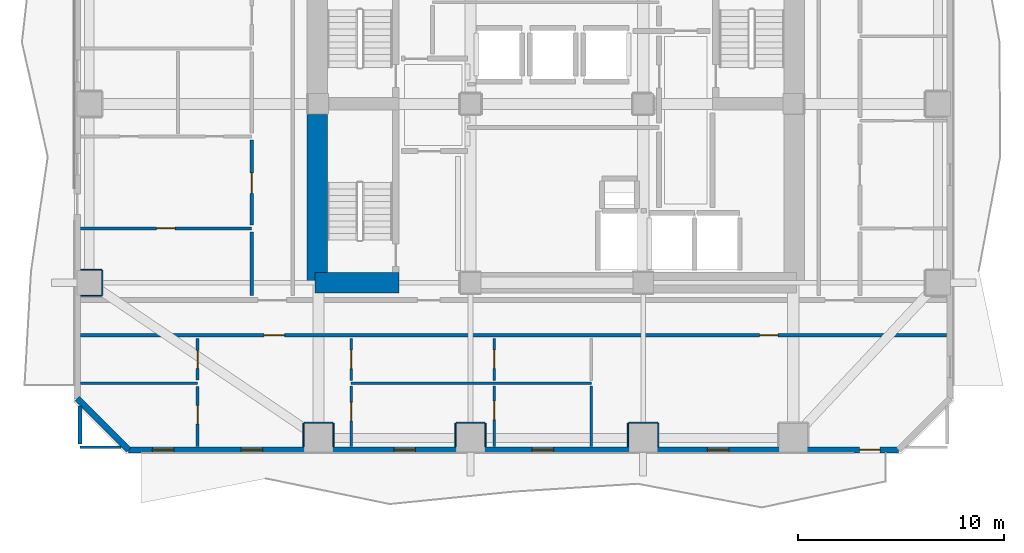
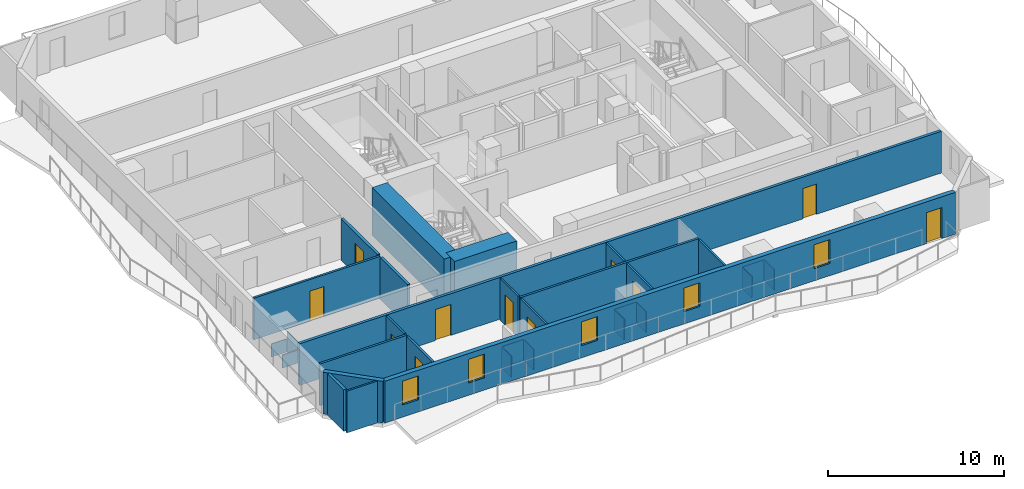
# One storey, part 2 of 10: 31 walls, 11 doors, 5 windows, 16 openings.
"""IFC4 building model written with IfcOpenShell, lengths in metres."""

import ifcopenshell
import ifcopenshell.guid

model = None  # the IFC model being written
_history = None  # IfcOwnerHistory: only IFC2X3 demands one
_inside = {}  # id of a spatial element -> (the spatial element, [elements in it])
_under = {}  # id of a project, library or spatial element -> (it, [spatial elements below it])
_declared = {}  # id of a project -> (the project, [libraries it declares])
_typed = {}  # id of a type object -> (the type object, [elements of that type])
_made_of = {}  # id of a material, layer set ... -> (it, [elements and type objects made of it])


def new_model(schema):
    """Start an empty IFC model of exactly this schema.

    Asked for "IFC4X3", IfcOpenShell would pick the latest addendum, in which some entities
    have other attributes; the version numbers below select the first issue.
    IFC2X3 requires an IfcOwnerHistory on every rooted entity: one is made here for all.
    """
    global model, _history
    if schema == "IFC4X3":
        model = ifcopenshell.file(schema_version=(4, 3, 0, 0))
    else:
        model = ifcopenshell.file(schema=schema)
    _inside.clear()
    _under.clear()
    _declared.clear()
    _typed.clear()
    _made_of.clear()
    _history = None
    if model.schema == "IFC2X3":
        org = make("IfcOrganization", Name="unknown")
        user = make(
            "IfcPersonAndOrganization",
            ThePerson=make("IfcPerson", FamilyName="unknown"),
            TheOrganization=org,
        )
        app = make(
            "IfcApplication",
            ApplicationDeveloper=org,
            Version="unknown",
            ApplicationFullName="unknown",
            ApplicationIdentifier="unknown",
        )
        _history = make(
            "IfcOwnerHistory",
            OwningUser=user,
            OwningApplication=app,
            ChangeAction="ADDED",
            CreationDate=0,
        )
    return model


def make(cls, **values):
    """One entity of the class cls with the attributes given. An attribute that is None is left unset."""
    return model.create_entity(
        cls, **{name: value for name, value in values.items() if value is not None}
    )


def rooted(cls, **values):
    """An entity with a GlobalId (a new one), such as an element, a storey or a relation."""
    return make(cls, GlobalId=ifcopenshell.guid.new(), OwnerHistory=_history, **values)


def si_unit(unit_type, name, prefix=None):
    """IfcSIUnit, for example si_unit("LENGTHUNIT", "METRE", prefix="MILLI")."""
    return make("IfcSIUnit", UnitType=unit_type, Prefix=prefix, Name=name)


def assignment(units):
    """IfcUnitAssignment: the units of a project."""
    return None if units is None else make("IfcUnitAssignment", Units=units)


def point(xyz):
    """IfcCartesianPoint."""
    return None if xyz is None else make("IfcCartesianPoint", Coordinates=xyz)


def direction(xyz):
    """IfcDirection."""
    return None if xyz is None else make("IfcDirection", DirectionRatios=xyz)


def frame(location, z_axis=None, x_axis=None):
    """IfcAxis2Placement3D, a coordinate frame: its origin and axes. An axis left out is left unset."""
    return make(
        "IfcAxis2Placement3D",
        Location=point(location),
        Axis=direction(z_axis),
        RefDirection=direction(x_axis),
    )


def frame_2d(location, x_axis=None):
    """IfcAxis2Placement2D, a coordinate frame in the plane: its origin and x axis."""
    return make(
        "IfcAxis2Placement2D", Location=point(location), RefDirection=direction(x_axis)
    )


def origin():
    """The frame at (0, 0, 0) with its axes left unset."""
    return frame((0.0, 0.0, 0.0))


def place(relative_to, where):
    """IfcLocalPlacement: puts the frame where relative to a parent placement (None: the world)."""
    return make(
        "IfcLocalPlacement", PlacementRelTo=relative_to, RelativePlacement=where
    )


def context(
    kind, dimensions, precision=None, world=None, true_north=None, identifier=None
):
    """IfcGeometricRepresentationContext, for example the 3D "Model" context."""
    return make(
        "IfcGeometricRepresentationContext",
        ContextIdentifier=identifier,
        ContextType=kind,
        CoordinateSpaceDimension=dimensions,
        Precision=precision,
        WorldCoordinateSystem=world,
        TrueNorth=true_north,
    )


def subcontext(parent, identifier, kind, view, scale=None):
    """IfcGeometricRepresentationSubContext, for example "Body" below "Model"."""
    return make(
        "IfcGeometricRepresentationSubContext",
        ContextIdentifier=identifier,
        ContextType=kind,
        ParentContext=parent,
        TargetScale=scale,
        TargetView=view,
    )


def project(units=None, contexts=None):
    """IfcProject with its units and contexts."""
    return rooted(
        "IfcProject",
        Name="project",
        RepresentationContexts=contexts,
        UnitsInContext=assignment(units),
    )


def spatial(cls, under=None, at=None, **own):
    """A site, building, storey or space (cls), placed at a placement, below another one or the project."""
    s = rooted(cls, ObjectPlacement=at, **own)
    if under is not None:
        _under.setdefault(under.id(), (under, []))[1].append(s)
    return s


def profile(cls, at=None, kind="AREA", **sizes):
    """A parametric profile (cls). Its sizes go by their IFC names, for example OverallWidth=200.0."""
    return make(cls, ProfileType=kind, Position=at, **sizes)


def rectangle(**sizes):
    """IfcRectangleProfileDef."""
    return profile("IfcRectangleProfileDef", **sizes)


def extrude(swept, where, along, depth):
    """IfcExtrudedAreaSolid: the profile swept, set in the frame where, extruded along a direction by depth."""
    return make(
        "IfcExtrudedAreaSolid",
        SweptArea=swept,
        Position=where,
        ExtrudedDirection=direction(along),
        Depth=depth,
    )


def shape(context_of_items, identifier, shape_type, items):
    """IfcShapeRepresentation: the items that make up one representation, for example the "Body"."""
    return make(
        "IfcShapeRepresentation",
        ContextOfItems=context_of_items,
        RepresentationIdentifier=identifier,
        RepresentationType=shape_type,
        Items=items,
    )


def material(Name=None, Category=None):
    """IfcMaterial."""
    return make("IfcMaterial", Name=Name, Category=Category)


def layer(
    of_material, thickness, ventilated=None, Name=None, Category=None, Priority=None
):
    """IfcMaterialLayer: one layer of a wall or slab, of a material (None: an air gap)."""
    return make(
        "IfcMaterialLayer",
        Material=of_material,
        LayerThickness=thickness,
        IsVentilated=ventilated,
        Name=Name,
        Category=Category,
        Priority=Priority,
    )


def layer_set(layers, Name=None):
    """IfcMaterialLayerSet."""
    return make("IfcMaterialLayerSet", MaterialLayers=layers, LayerSetName=Name)


def made_of(thing, what):
    """Note that an element or type object is made of a material, layer set ...; save() writes the relation."""
    if what is not None:
        _made_of.setdefault(what.id(), (what, []))[1].append(thing)
    return thing


def type_object(cls, material=None, **own):
    """A type object (cls), such as IfcWallType, which elements share."""
    return made_of(rooted(cls, **own), material)


def element(
    cls,
    number,
    at=None,
    inside=None,
    cuts=None,
    type_object=None,
    material=None,
    context=None,
    identifier="Body",
    shape_type=None,
    held_by="IfcProductDefinitionShape",
    body=None,
    shapes=None,
    **own,
):
    """One element of the class cls, such as IfcWall. Its Tag is "e" and its number.

    at: its placement. inside: the storey or other place that contains it. cuts: it is an
    opening in that element (IfcRelVoidsElement). A single representation is given by context,
    identifier, shape_type and body (its items); several are given by shapes. held_by: the class
    of the entity that holds the representations. save() writes the other relations.
    """
    e = rooted(cls, Tag="e%d" % number, ObjectPlacement=at, **own)
    if body is not None:
        shapes = [shape(context, identifier, shape_type, body)]
    if shapes is not None:
        e.Representation = make(held_by, Representations=shapes)
    if inside is not None:
        _inside.setdefault(inside.id(), (inside, []))[1].append(e)
    if cuts is not None:
        rooted(
            "IfcRelVoidsElement", RelatingBuildingElement=cuts, RelatedOpeningElement=e
        )
    if type_object is not None:
        _typed.setdefault(type_object.id(), (type_object, []))[1].append(e)
    return made_of(e, material)


def fill(opening, filler):
    """IfcRelFillsElement: the door or window that sits in an opening."""
    return rooted(
        "IfcRelFillsElement",
        RelatingOpeningElement=opening,
        RelatedBuildingElement=filler,
    )


def aggregate(whole, parts):
    """IfcRelAggregates: a whole, such as a stair, and the parts it consists of."""
    return rooted("IfcRelAggregates", RelatingObject=whole, RelatedObjects=parts)


def save(model, path):
    """Write the relations noted so far, then the file.

    IfcRelAggregates (storeys below a building ...), IfcRelContainedInSpatialStructure (elements
    in a storey), IfcRelDefinesByType, IfcRelAssociatesMaterial and IfcRelDeclares: one each for
    every whole, place, type object, material and project.
    """
    for whole, parts in _under.values():
        aggregate(whole, parts)
    for where, things in _inside.values():
        rooted(
            "IfcRelContainedInSpatialStructure",
            RelatedElements=things,
            RelatingStructure=where,
        )
    for kind, things in _typed.values():
        rooted("IfcRelDefinesByType", RelatedObjects=things, RelatingType=kind)
    for what, things in _made_of.values():
        rooted("IfcRelAssociatesMaterial", RelatedObjects=things, RelatingMaterial=what)
    for by, libraries in _declared.values():
        rooted("IfcRelDeclares", RelatingContext=by, RelatedDefinitions=libraries)
    model.write(path)


model = new_model("IFC4")

# Units and contexts
model_context = context("Model", 3, precision=1e-05, world=origin(), true_north=direction((0.0, 1.0)))
body_context = subcontext(model_context, "Body", "Model", "MODEL_VIEW")
ifc_project = project(units=[si_unit("LENGTHUNIT", "METRE"), si_unit("AREAUNIT", "SQUARE_METRE"), si_unit("VOLUMEUNIT", "CUBIC_METRE"), si_unit("PLANEANGLEUNIT", "RADIAN"), si_unit("MASSUNIT", "GRAM", prefix="KILO")], contexts=[model_context])

# Site, building, storey
site_placement = place(None, origin())
site = spatial("IfcSite", under=ifc_project, at=site_placement, CompositionType="ELEMENT")
building_placement = place(site_placement, origin())
building = spatial("IfcBuilding", under=site, at=building_placement, Name="Solanera Arch Residences", CompositionType="ELEMENT")
storey_placement = place(building_placement, frame((0.0, 0.0, 102.760009765625)))
storey = spatial("IfcBuildingStorey", under=building, at=storey_placement, Name="L29", CompositionType="ELEMENT", Elevation=102.760009765625)

# Walls
ifc_material_1 = material(Name="Fire-Rated Gypsum Stud Partition", Category="gypsum")
ifc_layer_1 = layer(ifc_material_1, 0.06005859375)
ifc_layer_set_1 = layer_set([ifc_layer_1], Name="Fire-Rated Gypsum Stud Partition")
wall_type_1 = type_object("IfcWallType", Name="Column Acoustic Furring Wall 60", PredefinedType="PARTITIONING", material=ifc_layer_set_1)
wall_1_placement = place(storey_placement, frame((12.699951171875, 15.181884765625, 0.0), z_axis=(0.0, 0.0, 1.0), x_axis=(1.0, 0.0, 0.0)))
element("IfcWall", 1, at=wall_1_placement, inside=storey, type_object=wall_type_1, Name="L29 Column Furring 9N", PredefinedType="PARTITIONING", context=body_context, shape_type="SweptSolid", body=[
    extrude(rectangle(XDim=1.400146484375, YDim=0.06005859375, at=frame_2d((0.7001953125, 0.0))), origin(), (0.0, 0.0, 1.0), 1.449951171875),
])
for number, where, z_axis, x_axis, name in (
    (2, (12.66796875, 14.030029296875, 0.0), (0.0, 0.0, 1.0), (0.0, 1.0, 0.0), "L29 Column Furring 9W"),
    (3, (14.132080078125, 14.030029296875, 0.0), (0.0, 0.0, 1.0), (0.0, 1.0, 0.0), "L29 Column Furring 9E"),
):
    element("IfcWall", number, at=place(storey_placement, frame(where, z_axis=z_axis, x_axis=x_axis)), inside=storey, type_object=wall_type_1, Name=name, PredefinedType="PARTITIONING", context=body_context, shape_type="SweptSolid", body=[
        extrude(rectangle(XDim=1.119873046875, YDim=0.06005859375, at=frame_2d((0.56005859375, 0.0))), origin(), (0.0, 0.0, 1.0), 1.449951171875),
    ])
wall_2_placement = place(storey_placement, frame((20.10009765625, 15.181884765625, 0.0), z_axis=(0.0, 0.0, 1.0), x_axis=(1.0, 0.0, 0.0)))
element("IfcWall", 4, at=wall_2_placement, inside=storey, type_object=wall_type_1, Name="L29 Column Furring 11N", PredefinedType="PARTITIONING", context=body_context, shape_type="SweptSolid", body=[
    extrude(rectangle(XDim=1.39990234375, YDim=0.06005859375, at=frame_2d((0.699951171875, 0.0))), origin(), (0.0, 0.0, 1.0), 1.449951171875),
])
for number, where, z_axis, x_axis, name in (
    (5, (20.068115234375, 14.030029296875, 0.0), (0.0, 0.0, 1.0), (0.0, 1.0, 0.0), "L29 Column Furring 11W"),
    (6, (21.531982421875, 14.030029296875, 0.0), (0.0, 0.0, 1.0), (0.0, 1.0, 0.0), "L29 Column Furring 11E"),
):
    element("IfcWall", number, at=place(storey_placement, frame(where, z_axis=z_axis, x_axis=x_axis)), inside=storey, type_object=wall_type_1, Name=name, PredefinedType="PARTITIONING", context=body_context, shape_type="SweptSolid", body=[
        extrude(rectangle(XDim=1.119873046875, YDim=0.06005859375, at=frame_2d((0.56005859375, 0.0))), origin(), (0.0, 0.0, 1.0), 1.449951171875),
    ])
wall_3_placement = place(storey_placement, frame((28.5, 15.181884765625, 0.0), z_axis=(0.0, 0.0, 1.0), x_axis=(1.0, 0.0, 0.0)))
element("IfcWall", 7, at=wall_3_placement, inside=storey, type_object=wall_type_1, Name="L29 Column Furring 13N", PredefinedType="PARTITIONING", context=body_context, shape_type="SweptSolid", body=[
    extrude(rectangle(XDim=1.39990234375, YDim=0.06005859375, at=frame_2d((0.699951171875, 0.0))), origin(), (0.0, 0.0, 1.0), 1.449951171875),
])
for number, where, z_axis, x_axis, name in (
    (8, (28.468017578125, 14.030029296875, 0.0), (0.0, 0.0, 1.0), (0.0, 1.0, 0.0), "L29 Column Furring 13W"),
    (9, (29.931884765625, 14.030029296875, 0.0), (0.0, 0.0, 1.0), (0.0, 1.0, 0.0), "L29 Column Furring 13E"),
):
    element("IfcWall", number, at=place(storey_placement, frame(where, z_axis=z_axis, x_axis=x_axis)), inside=storey, type_object=wall_type_1, Name=name, PredefinedType="PARTITIONING", context=body_context, shape_type="SweptSolid", body=[
        extrude(rectangle(XDim=1.119873046875, YDim=0.06005859375, at=frame_2d((0.56005859375, 0.0))), origin(), (0.0, 0.0, 1.0), 1.449951171875),
    ])
for number, where, z_axis, x_axis, name in (
    (10, (1.830078125, 21.367919921875, 0.0), (0.0, 0.0, 1.0), (1.0, 0.0, 0.0), "L29 Column Furring 17S"),
    (11, (1.830078125, 22.632080078125, 0.0), (0.0, 0.0, 1.0), (1.0, 0.0, 0.0), "L29 Column Furring 17N"),
):
    element("IfcWall", number, at=place(storey_placement, frame(where, z_axis=z_axis, x_axis=x_axis)), inside=storey, type_object=wall_type_1, Name=name, PredefinedType="PARTITIONING", context=body_context, shape_type="SweptSolid", body=[
        extrude(rectangle(XDim=1.02001953125, YDim=0.06005859375, at=frame_2d((0.510009765625, 0.0))), origin(), (0.0, 0.0, 1.0), 0.905029296875),
    ])
wall_4_placement = place(storey_placement, frame((2.882080078125, 21.39990234375, 0.0), z_axis=(0.0, 0.0, 1.0), x_axis=(0.0, 1.0, 0.0)))
element("IfcWall", 12, at=wall_4_placement, inside=storey, type_object=wall_type_1, Name="L29 Column Furring 17E", PredefinedType="PARTITIONING", context=body_context, shape_type="SweptSolid", body=[
    extrude(rectangle(XDim=1.2001953125, YDim=0.06005859375, at=frame_2d((0.60009765625, 0.0))), origin(), (0.0, 0.0, 1.0), 1.449951171875),
])
ifc_material_2 = material(Name="Concrete C55/67 (f'c = 60 MPa)", Category="concrete")
ifc_layer_2 = layer(ifc_material_2, 1.0)
ifc_layer_set_2 = layer_set([ifc_layer_2], Name="Concrete C55/67 (f'c = 60 MPa)")
wall_type_2 = type_object("IfcWallType", Name="Core Shear Wall CW-1000", PredefinedType="SHEAR", material=ifc_layer_set_2)
wall_5_placement = place(storey_placement, frame((13.340087890625, 22.0, 0.0), z_axis=(0.0, 0.0, 1.0), x_axis=(0.0, 1.0, 0.0)))
element("IfcWall", 13, at=wall_5_placement, inside=storey, type_object=wall_type_2, Name="L29 West Core South Shear Wall", PredefinedType="SHEAR", context=body_context, shape_type="SweptSolid", body=[
    extrude(rectangle(XDim=8.195068359375, YDim=1.0, at=frame_2d((4.09765625, 0.0))), origin(), (0.0, 0.0, 1.0), 3.320068359375),
])
wall_6_placement = place(storey_placement, frame((13.239990234375, 22.0, 0.0), z_axis=(0.0, 0.0, 1.0), x_axis=(1.0, 0.0, 0.0)))
element("IfcWall", 14, at=wall_6_placement, inside=storey, type_object=wall_type_2, Name="L29 South-West Core Shear Wall", PredefinedType="SHEAR", context=body_context, shape_type="SweptSolid", body=[
    extrude(rectangle(XDim=4.080078125, YDim=1.0, at=frame_2d((2.0400390625, 0.0))), origin(), (0.0, 0.0, 1.0), 3.320068359375),
])

# Wall, openings, doors
ifc_material_3 = material(Name="Autoclaved Aerated Concrete Blockwork", Category="masonry")
ifc_layer_3 = layer(ifc_material_3, 0.179931640625)
ifc_layer_set_3 = layer_set([ifc_layer_3], Name="Autoclaved Aerated Concrete Blockwork")
wall_type_3 = type_object("IfcWallType", Name="Corridor Fire Partition 180", PredefinedType="PARTITIONING", material=ifc_layer_set_3)
wall_7_placement = place(storey_placement, frame((1.826904296875, 19.449951171875, 0.0), z_axis=(0.0, 0.0, 1.0), x_axis=(1.0, 0.0, 0.0)))
wall_7 = element("IfcWall", 15, at=wall_7_placement, inside=storey, type_object=wall_type_3, Name="L29 Interior Partition H6", PredefinedType="PARTITIONING", context=body_context, shape_type="SweptSolid", body=[
    extrude(rectangle(XDim=42.14599609375, YDim=0.179931640625, at=frame_2d((21.072998046875, 0.0))), origin(), (0.0, 0.0, 1.0), 2.89990234375),
])
opening_1_placement = place(wall_7_placement, frame((8.927001953125, 0.0, 0.0)))
opening_1 = element("IfcOpeningElement", 16, at=opening_1_placement, cuts=wall_7, Name="Opening DI-01", PredefinedType="OPENING", context=body_context, shape_type="SweptSolid", body=[
    extrude(rectangle(XDim=1.0, YDim=2.14990234375, at=frame_2d((0.5, 1.074951171875))), frame((0.0, 0.10009765625, 0.0), z_axis=(0.0, -1.0, 0.0), x_axis=(1.0, 0.0, 0.0)), (0.0, 0.0, 1.0), 0.1999),
])
opening_2_placement = place(wall_7_placement, frame((33.0380859375, 0.0, 0.0)))
opening_2 = element("IfcOpeningElement", 17, at=opening_2_placement, cuts=wall_7, Name="Opening DI-02", PredefinedType="OPENING", context=body_context, shape_type="SweptSolid", body=[
    extrude(rectangle(XDim=0.89990234375, YDim=2.10009765625, at=frame_2d((0.449951171875, 1.050048828125))), frame((0.0, 0.10009765625, 0.0), z_axis=(0.0, -1.0, 0.0), x_axis=(1.0, 0.0, 0.0)), (0.0, 0.0, 1.0), 0.1999),
])
ifc_material_4 = material(Name="Fire-Rated Architectural Hardwood", Category="wood")
door_type_1 = type_object("IfcDoorType", Name="Suite Room Swing Door DI-02", OperationType="NOTDEFINED", PredefinedType="DOOR", material=ifc_material_4)
door_1_placement = place(opening_2_placement, origin())
door_1 = element("IfcDoor", 18, at=door_1_placement, inside=storey, type_object=door_type_1, Name="DR-L29-IN-023", OperationType="SINGLE_SWING_RIGHT", OverallHeight=2.10009765625, OverallWidth=0.89990234375, PredefinedType="DOOR", context=body_context, shape_type="SweptSolid", body=[
    extrude(rectangle(XDim=0.89990234375, YDim=2.10009765625, at=frame_2d((0.449951171875, 1.050048828125))), frame((0.0, 0.02490234375, 0.0), z_axis=(0.0, -1.0, 0.0), x_axis=(1.0, 0.0, 0.0)), (0.0, 0.0, 1.0), 0.050048828125),
])
fill(opening_2, door_1)
ifc_material_5 = material(Name="Fire-Rated Architectural Hardwood", Category="wood")
door_type_2 = type_object("IfcDoorType", Name="Unit Entrance Fire Door DI-01", OperationType="NOTDEFINED", PredefinedType="DOOR", material=ifc_material_5)
door_2_placement = place(opening_1_placement, origin())
door_2 = element("IfcDoor", 19, at=door_2_placement, inside=storey, type_object=door_type_2, Name="DR-L29-IN-016", OperationType="SINGLE_SWING_LEFT", OverallHeight=2.14990234375, OverallWidth=1.0, PredefinedType="DOOR", context=body_context, shape_type="SweptSolid", body=[
    extrude(rectangle(XDim=1.0, YDim=2.14990234375, at=frame_2d((0.5, 1.074951171875))), frame((0.0, 0.02490234375, 0.0), z_axis=(0.0, -1.0, 0.0), x_axis=(1.0, 0.0, 0.0)), (0.0, 0.0, 1.0), 0.050048828125),
])
fill(opening_1, door_2)

# Walls
wall_8_placement = place(storey_placement, frame((1.800048828125, 14.157958984375, 0.0), z_axis=(0.0, 0.0, 1.0), x_axis=(0.0, 1.0, 0.0)))
element("IfcWall", 20, at=wall_8_placement, inside=storey, type_object=wall_type_3, Name="L29 Interior Partition V7 1", PredefinedType="PARTITIONING", context=body_context, shape_type="SweptSolid", body=[
    extrude(rectangle(XDim=1.843017578125, YDim=0.179931640625, at=frame_2d((0.92138671875, 0.0))), origin(), (0.0, 0.0, 1.0), 2.89990234375),
])
wall_9_placement = place(storey_placement, frame((10.14990234375, 21.367919921875, 0.0), z_axis=(0.0, 0.0, 1.0), x_axis=(0.0, 1.0, 0.0)))
element("IfcWall", 21, at=wall_9_placement, inside=storey, type_object=wall_type_3, Name="L29 Interior Partition V8 1", PredefinedType="PARTITIONING", context=body_context, shape_type="SweptSolid", body=[
    extrude(rectangle(XDim=3.109130859375, YDim=0.179931640625, at=frame_2d((1.5546875, 0.0))), origin(), (0.0, 0.0, 1.0), 2.89990234375),
])

# Wall, opening, door
wall_10_placement = place(storey_placement, frame((10.14990234375, 24.81298828125, 0.0), z_axis=(0.0, 0.0, 1.0), x_axis=(0.0, 1.0, 0.0)))
wall_10 = element("IfcWall", 22, at=wall_10_placement, inside=storey, type_object=wall_type_3, Name="L29 Interior Partition V8 2", PredefinedType="PARTITIONING", context=body_context, shape_type="SweptSolid", body=[
    extrude(rectangle(XDim=4.138916015625, YDim=0.179931640625, at=frame_2d((2.0693359375, 0.0))), origin(), (0.0, 0.0, 1.0), 2.89990234375),
])
opening_3_placement = place(wall_10_placement, frame((1.537109375, 0.0, 0.0)))
opening_3 = element("IfcOpeningElement", 23, at=opening_3_placement, cuts=wall_10, Name="Opening DI-01", PredefinedType="OPENING", context=body_context, shape_type="SweptSolid", body=[
    extrude(rectangle(XDim=1.0, YDim=2.14990234375, at=frame_2d((0.5, 1.074951171875))), frame((0.0, 0.10009765625, 0.0), z_axis=(0.0, -1.0, 0.0), x_axis=(1.0, 0.0, 0.0)), (0.0, 0.0, 1.0), 0.1999),
])
door_3_placement = place(opening_3_placement, origin())
door_3 = element("IfcDoor", 24, at=door_3_placement, inside=storey, type_object=door_type_2, Name="DR-L29-IN-031", OperationType="SINGLE_SWING_RIGHT", OverallHeight=2.14990234375, OverallWidth=1.0, PredefinedType="DOOR", context=body_context, shape_type="SweptSolid", body=[
    extrude(rectangle(XDim=1.0, YDim=2.14990234375, at=frame_2d((0.5, 1.074951171875))), frame((0.0, 0.02490234375, 0.0), z_axis=(0.0, -1.0, 0.0), x_axis=(1.0, 0.0, 0.0)), (0.0, 0.0, 1.0), 0.050048828125),
])
fill(opening_3, door_3)

# Wall, openings, door, windows
ifc_material_6 = material(Name="Precast Concrete C35/45", Category="concrete")
ifc_layer_4 = layer(ifc_material_6, 0.300048828125)
ifc_layer_set_4 = layer_set([ifc_layer_4], Name="Precast Concrete C35/45")
wall_type_4 = type_object("IfcWallType", Name="Exterior Wall Precast Masonry-Frame 300", PredefinedType="STANDARD", material=ifc_layer_set_4)
wall_11_placement = place(storey_placement, frame((41.635009765625, 13.864990234375, 0.0), z_axis=(0.0, 0.0, 1.0), x_axis=(-1.0, 0.0, 0.0)))
wall_11 = element("IfcWall", 25, at=wall_11_placement, inside=storey, type_object=wall_type_4, Name="L29 Tower Exterior Precast Masonry-Frame Wall S", PredefinedType="STANDARD", context=body_context, shape_type="SweptSolid", body=[
    extrude(rectangle(XDim=37.469970703125, YDim=0.300048828125, at=frame_2d((18.73486328125, 0.0))), origin(), (0.0, 0.0, 1.0), 2.89990234375),
])
opening_4_placement = place(wall_11_placement, frame((0.90087890625, 0.0, 0.0)))
opening_4 = element("IfcOpeningElement", 26, at=opening_4_placement, cuts=wall_11, Name="Opening DB-01", PredefinedType="OPENING", context=body_context, shape_type="SweptSolid", body=[
    extrude(rectangle(XDim=1.0, YDim=2.14990234375, at=frame_2d((0.5, 1.074951171875))), frame((0.0, 0.159912109375, 0.0), z_axis=(0.0, -1.0, 0.0), x_axis=(1.0, 0.0, 0.0)), (0.0, 0.0, 1.0), 0.32),
])
opening_5_placement = place(wall_11_placement, frame((30.948974609375, 0.0, 0.85009765625)))
opening_5 = element("IfcOpeningElement", 27, at=opening_5_placement, cuts=wall_11, Name="Opening W-07", PredefinedType="OPENING", context=body_context, shape_type="SweptSolid", body=[
    extrude(rectangle(XDim=1.050048828125, YDim=1.64990234375, at=frame_2d((0.52490234375, 0.824951171875))), frame((0.0, 0.159912109375, 0.0), z_axis=(0.0, -1.0, 0.0), x_axis=(1.0, 0.0, 0.0)), (0.0, 0.0, 1.0), 0.32),
])
opening_6_placement = place(wall_11_placement, frame((35.27099609375, 0.0, 0.85009765625)))
opening_6 = element("IfcOpeningElement", 28, at=opening_6_placement, cuts=wall_11, Name="Opening W-07", PredefinedType="OPENING", context=body_context, shape_type="SweptSolid", body=[
    extrude(rectangle(XDim=1.050048828125, YDim=1.64990234375, at=frame_2d((0.52490234375, 0.824951171875))), frame((0.0, 0.159912109375, 0.0), z_axis=(0.0, -1.0, 0.0), x_axis=(1.0, 0.0, 0.0)), (0.0, 0.0, 1.0), 0.32),
])
opening_7_placement = place(wall_11_placement, frame((23.51708984375, 0.0, 0.85009765625)))
opening_7 = element("IfcOpeningElement", 29, at=opening_7_placement, cuts=wall_11, Name="Opening W-07", PredefinedType="OPENING", context=body_context, shape_type="SweptSolid", body=[
    extrude(rectangle(XDim=1.050048828125, YDim=1.64990234375, at=frame_2d((0.52490234375, 0.824951171875))), frame((0.0, 0.159912109375, 0.0), z_axis=(0.0, -1.0, 0.0), x_axis=(1.0, 0.0, 0.0)), (0.0, 0.0, 1.0), 0.32),
])
opening_8_placement = place(wall_11_placement, frame((16.794921875, 0.0, 0.85009765625)))
opening_8 = element("IfcOpeningElement", 30, at=opening_8_placement, cuts=wall_11, Name="Opening W-07", PredefinedType="OPENING", context=body_context, shape_type="SweptSolid", body=[
    extrude(rectangle(XDim=1.050048828125, YDim=1.64990234375, at=frame_2d((0.52490234375, 0.824951171875))), frame((0.0, 0.159912109375, 0.0), z_axis=(0.0, -1.0, 0.0), x_axis=(1.0, 0.0, 0.0)), (0.0, 0.0, 1.0), 0.32),
])
opening_9_placement = place(wall_11_placement, frame((8.260009765625, 0.0, 0.85009765625)))
opening_9 = element("IfcOpeningElement", 31, at=opening_9_placement, cuts=wall_11, Name="Opening W-07", PredefinedType="OPENING", context=body_context, shape_type="SweptSolid", body=[
    extrude(rectangle(XDim=1.050048828125, YDim=1.64990234375, at=frame_2d((0.52490234375, 0.824951171875))), frame((0.0, 0.159912109375, 0.0), z_axis=(0.0, -1.0, 0.0), x_axis=(1.0, 0.0, 0.0)), (0.0, 0.0, 1.0), 0.32),
])
ifc_material_7 = material(Name="Anodised Aluminium Alloy 6063-T6", Category="aluminium")
door_type_3 = type_object("IfcDoorType", Name="Glazed Balcony Swing Door DB-01", OperationType="NOTDEFINED", PredefinedType="DOOR", material=ifc_material_7)
door_4_placement = place(opening_4_placement, origin())
door_4 = element("IfcDoor", 32, at=door_4_placement, inside=storey, type_object=door_type_3, Name="DR-L29-OUT-01", OperationType="SINGLE_SWING_LEFT", OverallHeight=2.14990234375, OverallWidth=1.0, PredefinedType="DOOR", context=body_context, shape_type="SweptSolid", body=[
    extrude(rectangle(XDim=1.0, YDim=2.14990234375, at=frame_2d((0.5, 1.074951171875))), frame((0.0, 0.02490234375, 0.0), z_axis=(0.0, -1.0, 0.0), x_axis=(1.0, 0.0, 0.0)), (0.0, 0.0, 1.0), 0.050048828125),
])
fill(opening_4, door_4)
ifc_material_8 = material(Name="Double Glazed Low-E Laminated Glass", Category="glass")
window_type = type_object("IfcWindowType", Name="Punched Window W-07", PartitioningType="SINGLE_PANEL", PredefinedType="WINDOW", material=ifc_material_8)
window_1_placement = place(opening_5_placement, origin())
window_1 = element("IfcWindow", 33, at=window_1_placement, inside=storey, type_object=window_type, Name="L29 2901-LIV Punched Window", OverallHeight=1.64990234375, OverallWidth=1.050048828125, PartitioningType="SINGLE_PANEL", PredefinedType="WINDOW", context=body_context, shape_type="SweptSolid", body=[
    extrude(rectangle(XDim=1.050048828125, YDim=1.64990234375, at=frame_2d((0.52490234375, 0.824951171875))), frame((0.0, 0.030029296875, 0.0), z_axis=(0.0, -1.0, 0.0), x_axis=(1.0, 0.0, 0.0)), (0.0, 0.0, 1.0), 0.06005859375),
])
fill(opening_5, window_1)
window_2_placement = place(opening_6_placement, origin())
window_2 = element("IfcWindow", 34, at=window_2_placement, inside=storey, type_object=window_type, Name="L29 2901-BR1 Punched Window", OverallHeight=1.64990234375, OverallWidth=1.050048828125, PartitioningType="SINGLE_PANEL", PredefinedType="WINDOW", context=body_context, shape_type="SweptSolid", body=[
    extrude(rectangle(XDim=1.050048828125, YDim=1.64990234375, at=frame_2d((0.52490234375, 0.824951171875))), frame((0.0, 0.030029296875, 0.0), z_axis=(0.0, -1.0, 0.0), x_axis=(1.0, 0.0, 0.0)), (0.0, 0.0, 1.0), 0.06005859375),
])
fill(opening_6, window_2)
window_3_placement = place(opening_7_placement, origin())
window_3 = element("IfcWindow", 35, at=window_3_placement, inside=storey, type_object=window_type, Name="L29 2901-BR2 Punched Window", OverallHeight=1.64990234375, OverallWidth=1.050048828125, PartitioningType="SINGLE_PANEL", PredefinedType="WINDOW", context=body_context, shape_type="SweptSolid", body=[
    extrude(rectangle(XDim=1.050048828125, YDim=1.64990234375, at=frame_2d((0.52490234375, 0.824951171875))), frame((0.0, 0.030029296875, 0.0), z_axis=(0.0, -1.0, 0.0), x_axis=(1.0, 0.0, 0.0)), (0.0, 0.0, 1.0), 0.06005859375),
])
fill(opening_7, window_3)
window_4_placement = place(opening_8_placement, origin())
window_4 = element("IfcWindow", 36, at=window_4_placement, inside=storey, type_object=window_type, Name="L29 2901-BR3 Punched Window", OverallHeight=1.64990234375, OverallWidth=1.050048828125, PartitioningType="SINGLE_PANEL", PredefinedType="WINDOW", context=body_context, shape_type="SweptSolid", body=[
    extrude(rectangle(XDim=1.050048828125, YDim=1.64990234375, at=frame_2d((0.52490234375, 0.824951171875))), frame((0.0, 0.030029296875, 0.0), z_axis=(0.0, -1.0, 0.0), x_axis=(1.0, 0.0, 0.0)), (0.0, 0.0, 1.0), 0.06005859375),
])
fill(opening_8, window_4)
window_5_placement = place(opening_9_placement, origin())
window_5 = element("IfcWindow", 37, at=window_5_placement, inside=storey, type_object=window_type, Name="L29 AMN-LNG Punched Window", OverallHeight=1.64990234375, OverallWidth=1.050048828125, PartitioningType="SINGLE_PANEL", PredefinedType="WINDOW", context=body_context, shape_type="SweptSolid", body=[
    extrude(rectangle(XDim=1.050048828125, YDim=1.64990234375, at=frame_2d((0.52490234375, 0.824951171875))), frame((0.0, 0.030029296875, 0.0), z_axis=(0.0, -1.0, 0.0), x_axis=(1.0, 0.0, 0.0)), (0.0, 0.0, 1.0), 0.06005859375),
])
fill(opening_9, window_5)

# Walls
wall_12_placement = place(storey_placement, frame((4.1650390625, 13.864990234375, 0.0), z_axis=(0.0, 0.0, 1.0), x_axis=(-0.707106781187, 0.707106781187, 0.0)))
element("IfcWall", 38, at=wall_12_placement, inside=storey, type_object=wall_type_4, Name="L29 Tower Exterior Precast Masonry-Frame Wall CH7", PredefinedType="STANDARD", context=body_context, shape_type="SweptSolid", body=[
    extrude(rectangle(XDim=3.53564453125, YDim=0.300048828125, at=frame_2d((1.767822265625, 0.0))), origin(), (0.0, 0.0, 1.0), 2.89990234375),
])
ifc_material_9 = material(Name="Fire-Rated Gypsum Stud Partition", Category="gypsum")
ifc_layer_5 = layer(ifc_material_9, 0.1201171875)
ifc_layer_set_5 = layer_set([ifc_layer_5], Name="Fire-Rated Gypsum Stud Partition")
wall_type_5 = type_object("IfcWallType", Name="Unit Drywall Partition 120", PredefinedType="PARTITIONING", material=ifc_layer_set_5)
wall_13_placement = place(storey_placement, frame((1.800048828125, 14.0, 0.0), z_axis=(0.0, 0.0, 1.0), x_axis=(1.0, 0.0, 0.0)))
element("IfcWall", 39, at=wall_13_placement, inside=storey, type_object=wall_type_5, Name="L29 Interior Partition H21 1", PredefinedType="PARTITIONING", context=body_context, shape_type="SweptSolid", body=[
    extrude(rectangle(XDim=2.0009765625, YDim=0.1201171875, at=frame_2d((1.00048828125, 0.0))), origin(), (0.0, 0.0, 1.0), 2.89990234375),
])

# Wall, opening, door
wall_14_placement = place(storey_placement, frame((14.986083984375, 14.027099609375, 0.0), z_axis=(0.0, 0.0, 1.0), x_axis=(0.0, 1.0, 0.0)))
wall_14 = element("IfcWall", 40, at=wall_14_placement, inside=storey, type_object=wall_type_5, Name="L29 Interior Partition V19 1", PredefinedType="PARTITIONING", context=body_context, shape_type="SweptSolid", body=[
    extrude(rectangle(XDim=2.94189453125, YDim=0.1201171875, at=frame_2d((1.470947265625, 0.0))), origin(), (0.0, 0.0, 1.0), 2.89990234375),
])
opening_10_placement = place(wall_14_placement, frame((1.2490234375, 0.0, 0.0)))
opening_10 = element("IfcOpeningElement", 41, at=opening_10_placement, cuts=wall_14, Name="Opening DI-03", PredefinedType="OPENING", context=body_context, shape_type="SweptSolid", body=[
    extrude(rectangle(XDim=0.89990234375, YDim=2.10009765625, at=frame_2d((0.449951171875, 1.050048828125))), frame((0.0, 0.070068359375, 0.0), z_axis=(0.0, -1.0, 0.0), x_axis=(1.0, 0.0, 0.0)), (0.0, 0.0, 1.0), 0.1401),
])
ifc_material_10 = material(Name="Fire-Rated Architectural Hardwood", Category="wood")
door_type_4 = type_object("IfcDoorType", Name="Bedroom Swing Door DI-03", OperationType="NOTDEFINED", PredefinedType="DOOR", material=ifc_material_10)
door_5_placement = place(opening_10_placement, origin())
door_5 = element("IfcDoor", 42, at=door_5_placement, inside=storey, type_object=door_type_4, Name="DR-L29-IN-021", OperationType="SINGLE_SWING_RIGHT", OverallHeight=2.10009765625, OverallWidth=0.89990234375, PredefinedType="DOOR", context=body_context, shape_type="SweptSolid", body=[
    extrude(rectangle(XDim=0.89990234375, YDim=2.10009765625, at=frame_2d((0.449951171875, 1.050048828125))), frame((0.0, 0.02490234375, 0.0), z_axis=(0.0, -1.0, 0.0), x_axis=(1.0, 0.0, 0.0)), (0.0, 0.0, 1.0), 0.050048828125),
])
fill(opening_10, door_5)

wall_15_placement = place(storey_placement, frame((14.986083984375, 17.2451171875, 0.0), z_axis=(0.0, 0.0, 1.0), x_axis=(0.0, 1.0, 0.0)))
wall_15 = element("IfcWall", 43, at=wall_15_placement, inside=storey, type_object=wall_type_5, Name="L29 Interior Partition V19 2", PredefinedType="PARTITIONING", context=body_context, shape_type="SweptSolid", body=[
    extrude(rectangle(XDim=2.046875, YDim=0.1201171875, at=frame_2d((1.0234375, 0.0))), origin(), (0.0, 0.0, 1.0), 2.89990234375),
])
opening_11_placement = place(wall_15_placement, frame((0.571044921875, 0.0, 0.0)))
opening_11 = element("IfcOpeningElement", 44, at=opening_11_placement, cuts=wall_15, Name="Opening DI-02", PredefinedType="OPENING", context=body_context, shape_type="SweptSolid", body=[
    extrude(rectangle(XDim=0.89990234375, YDim=2.10009765625, at=frame_2d((0.449951171875, 1.050048828125))), frame((0.0, 0.070068359375, 0.0), z_axis=(0.0, -1.0, 0.0), x_axis=(1.0, 0.0, 0.0)), (0.0, 0.0, 1.0), 0.1401),
])
door_6_placement = place(opening_11_placement, origin())
door_6 = element("IfcDoor", 45, at=door_6_placement, inside=storey, type_object=door_type_1, Name="DR-L29-IN-019", OperationType="SINGLE_SWING_RIGHT", OverallHeight=2.10009765625, OverallWidth=0.89990234375, PredefinedType="DOOR", context=body_context, shape_type="SweptSolid", body=[
    extrude(rectangle(XDim=0.89990234375, YDim=2.10009765625, at=frame_2d((0.449951171875, 1.050048828125))), frame((0.0, 0.02490234375, 0.0), z_axis=(0.0, -1.0, 0.0), x_axis=(1.0, 0.0, 0.0)), (0.0, 0.0, 1.0), 0.050048828125),
])
fill(opening_11, door_6)

wall_16_placement = place(storey_placement, frame((21.949951171875, 14.027099609375, 0.0), z_axis=(0.0, 0.0, 1.0), x_axis=(0.0, 1.0, 0.0)))
wall_16 = element("IfcWall", 46, at=wall_16_placement, inside=storey, type_object=wall_type_5, Name="L29 Interior Partition V20 1", PredefinedType="PARTITIONING", context=body_context, shape_type="SweptSolid", body=[
    extrude(rectangle(XDim=2.94189453125, YDim=0.1201171875, at=frame_2d((1.470947265625, 0.0))), origin(), (0.0, 0.0, 1.0), 2.89990234375),
])
opening_12_placement = place(wall_16_placement, frame((1.31689453125, 0.0, 0.0)))
opening_12 = element("IfcOpeningElement", 47, at=opening_12_placement, cuts=wall_16, Name="Opening DI-03", PredefinedType="OPENING", context=body_context, shape_type="SweptSolid", body=[
    extrude(rectangle(XDim=0.89990234375, YDim=2.10009765625, at=frame_2d((0.449951171875, 1.050048828125))), frame((0.0, 0.070068359375, 0.0), z_axis=(0.0, -1.0, 0.0), x_axis=(1.0, 0.0, 0.0)), (0.0, 0.0, 1.0), 0.1401),
])
door_7_placement = place(opening_12_placement, origin())
door_7 = element("IfcDoor", 48, at=door_7_placement, inside=storey, type_object=door_type_4, Name="DR-L29-IN-022", OperationType="SINGLE_SWING_LEFT", OverallHeight=2.10009765625, OverallWidth=0.89990234375, PredefinedType="DOOR", context=body_context, shape_type="SweptSolid", body=[
    extrude(rectangle(XDim=0.89990234375, YDim=2.10009765625, at=frame_2d((0.449951171875, 1.050048828125))), frame((0.0, 0.02490234375, 0.0), z_axis=(0.0, -1.0, 0.0), x_axis=(1.0, 0.0, 0.0)), (0.0, 0.0, 1.0), 0.050048828125),
])
fill(opening_12, door_7)

wall_17_placement = place(storey_placement, frame((21.949951171875, 17.2451171875, 0.0), z_axis=(0.0, 0.0, 1.0), x_axis=(0.0, 1.0, 0.0)))
wall_17 = element("IfcWall", 49, at=wall_17_placement, inside=storey, type_object=wall_type_5, Name="L29 Interior Partition V20 2", PredefinedType="PARTITIONING", context=body_context, shape_type="SweptSolid", body=[
    extrude(rectangle(XDim=2.046875, YDim=0.1201171875, at=frame_2d((1.0234375, 0.0))), origin(), (0.0, 0.0, 1.0), 2.89990234375),
])
opening_13_placement = place(wall_17_placement, frame((0.5830078125, 0.0, 0.0)))
opening_13 = element("IfcOpeningElement", 50, at=opening_13_placement, cuts=wall_17, Name="Opening DI-02", PredefinedType="OPENING", context=body_context, shape_type="SweptSolid", body=[
    extrude(rectangle(XDim=0.89990234375, YDim=2.10009765625, at=frame_2d((0.449951171875, 1.050048828125))), frame((0.0, 0.070068359375, 0.0), z_axis=(0.0, -1.0, 0.0), x_axis=(1.0, 0.0, 0.0)), (0.0, 0.0, 1.0), 0.1401),
])
door_8_placement = place(opening_13_placement, origin())
door_8 = element("IfcDoor", 51, at=door_8_placement, inside=storey, type_object=door_type_1, Name="DR-L29-IN-020", OperationType="SINGLE_SWING_LEFT", OverallHeight=2.10009765625, OverallWidth=0.89990234375, PredefinedType="DOOR", context=body_context, shape_type="SweptSolid", body=[
    extrude(rectangle(XDim=0.89990234375, YDim=2.10009765625, at=frame_2d((0.449951171875, 1.050048828125))), frame((0.0, 0.02490234375, 0.0), z_axis=(0.0, -1.0, 0.0), x_axis=(1.0, 0.0, 0.0)), (0.0, 0.0, 1.0), 0.050048828125),
])
fill(opening_13, door_8)

# Walls
wall_18_placement = place(storey_placement, frame((26.678955078125, 14.027099609375, 0.0), z_axis=(0.0, 0.0, 1.0), x_axis=(0.0, 1.0, 0.0)))
element("IfcWall", 52, at=wall_18_placement, inside=storey, type_object=wall_type_5, Name="L29 Interior Partition V22 1", PredefinedType="PARTITIONING", context=body_context, shape_type="SweptSolid", body=[
    extrude(rectangle(XDim=2.94189453125, YDim=0.1201171875, at=frame_2d((1.470947265625, 0.0))), origin(), (0.0, 0.0, 1.0), 2.89990234375),
])
ifc_material_11 = material(Name="Autoclaved Aerated Concrete Blockwork", Category="masonry")
ifc_layer_6 = layer(ifc_material_11, 0.139892578125)
ifc_layer_set_6 = layer_set([ifc_layer_6], Name="Autoclaved Aerated Concrete Blockwork")
wall_type_6 = type_object("IfcWallType", Name="Wet-Room Partition 140", PredefinedType="PARTITIONING", material=ifc_layer_set_6)
wall_19_placement = place(storey_placement, frame((1.826904296875, 17.10693359375, 0.0), z_axis=(0.0, 0.0, 1.0), x_axis=(1.0, 0.0, 0.0)))
element("IfcWall", 53, at=wall_19_placement, inside=storey, type_object=wall_type_6, Name="L29 Interior Partition H12", PredefinedType="PARTITIONING", context=body_context, shape_type="SweptSolid", body=[
    extrude(rectangle(XDim=5.695068359375, YDim=0.139892578125, at=frame_2d((2.84765625, 0.0))), origin(), (0.0, 0.0, 1.0), 2.89990234375),
])
wall_20_placement = place(storey_placement, frame((14.986083984375, 17.10693359375, 0.0), z_axis=(0.0, 0.0, 1.0), x_axis=(1.0, 0.0, 0.0)))
element("IfcWall", 54, at=wall_20_placement, inside=storey, type_object=wall_type_6, Name="L29 Interior Partition H13", PredefinedType="PARTITIONING", context=body_context, shape_type="SweptSolid", body=[
    extrude(rectangle(XDim=11.69287109375, YDim=0.139892578125, at=frame_2d((5.846435546875, 0.0))), origin(), (0.0, 0.0, 1.0), 2.89990234375),
])

# Wall, opening, door
wall_21_placement = place(storey_placement, frame((1.826904296875, 24.64501953125, 0.0), z_axis=(0.0, 0.0, 1.0), x_axis=(1.0, 0.0, 0.0)))
wall_21 = element("IfcWall", 55, at=wall_21_placement, inside=storey, type_object=wall_type_6, Name="L29 Interior Partition H14", PredefinedType="PARTITIONING", context=body_context, shape_type="SweptSolid", body=[
    extrude(rectangle(XDim=8.322998046875, YDim=0.139892578125, at=frame_2d((4.16162109375, 0.0))), origin(), (0.0, 0.0, 1.0), 2.89990234375),
])
opening_14_placement = place(wall_21_placement, frame((3.697998046875, 0.0, 0.0)))
opening_14 = element("IfcOpeningElement", 56, at=opening_14_placement, cuts=wall_21, Name="Opening DI-02", PredefinedType="OPENING", context=body_context, shape_type="SweptSolid", body=[
    extrude(rectangle(XDim=0.89990234375, YDim=2.10009765625, at=frame_2d((0.449951171875, 1.050048828125))), frame((0.0, 0.079833984375, 0.0), z_axis=(0.0, -1.0, 0.0), x_axis=(1.0, 0.0, 0.0)), (0.0, 0.0, 1.0), 0.1599),
])
door_9_placement = place(opening_14_placement, origin())
door_9 = element("IfcDoor", 57, at=door_9_placement, inside=storey, type_object=door_type_1, Name="DR-L29-IN-032", OperationType="SINGLE_SWING_LEFT", OverallHeight=2.10009765625, OverallWidth=0.89990234375, PredefinedType="DOOR", context=body_context, shape_type="SweptSolid", body=[
    extrude(rectangle(XDim=0.89990234375, YDim=2.10009765625, at=frame_2d((0.449951171875, 1.050048828125))), frame((0.0, 0.02490234375, 0.0), z_axis=(0.0, -1.0, 0.0), x_axis=(1.0, 0.0, 0.0)), (0.0, 0.0, 1.0), 0.050048828125),
])
fill(opening_14, door_9)

wall_22_placement = place(storey_placement, frame((7.52197265625, 14.027099609375, 0.0), z_axis=(0.0, 0.0, 1.0), x_axis=(0.0, 1.0, 0.0)))
wall_22 = element("IfcWall", 58, at=wall_22_placement, inside=storey, type_object=wall_type_6, Name="L29 Interior Partition V17 1", PredefinedType="PARTITIONING", context=body_context, shape_type="SweptSolid", body=[
    extrude(rectangle(XDim=2.931884765625, YDim=0.139892578125, at=frame_2d((1.4658203125, 0.0))), origin(), (0.0, 0.0, 1.0), 2.89990234375),
])
opening_15_placement = place(wall_22_placement, frame((1.089111328125, 0.0, 0.0)))
opening_15 = element("IfcOpeningElement", 59, at=opening_15_placement, cuts=wall_22, Name="Opening DI-03", PredefinedType="OPENING", context=body_context, shape_type="SweptSolid", body=[
    extrude(rectangle(XDim=0.89990234375, YDim=2.10009765625, at=frame_2d((0.449951171875, 1.050048828125))), frame((0.0, 0.079833984375, 0.0), z_axis=(0.0, -1.0, 0.0), x_axis=(1.0, 0.0, 0.0)), (0.0, 0.0, 1.0), 0.1599),
])
door_10_placement = place(opening_15_placement, origin())
door_10 = element("IfcDoor", 60, at=door_10_placement, inside=storey, type_object=door_type_4, Name="DR-L29-IN-018", OperationType="SINGLE_SWING_LEFT", OverallHeight=2.10009765625, OverallWidth=0.89990234375, PredefinedType="DOOR", context=body_context, shape_type="SweptSolid", body=[
    extrude(rectangle(XDim=0.89990234375, YDim=2.10009765625, at=frame_2d((0.449951171875, 1.050048828125))), frame((0.0, 0.02490234375, 0.0), z_axis=(0.0, -1.0, 0.0), x_axis=(1.0, 0.0, 0.0)), (0.0, 0.0, 1.0), 0.050048828125),
])
fill(opening_15, door_10)

wall_23_placement = place(storey_placement, frame((7.52197265625, 17.2548828125, 0.0), z_axis=(0.0, 0.0, 1.0), x_axis=(0.0, 1.0, 0.0)))
wall_23 = element("IfcWall", 61, at=wall_23_placement, inside=storey, type_object=wall_type_6, Name="L29 Interior Partition V17 2", PredefinedType="PARTITIONING", context=body_context, shape_type="SweptSolid", body=[
    extrude(rectangle(XDim=2.027099609375, YDim=0.139892578125, at=frame_2d((1.013671875, 0.0))), origin(), (0.0, 0.0, 1.0), 2.89990234375),
])
opening_16_placement = place(wall_23_placement, frame((0.5810546875, 0.0, 0.0)))
opening_16 = element("IfcOpeningElement", 62, at=opening_16_placement, cuts=wall_23, Name="Opening DI-05", PredefinedType="OPENING", context=body_context, shape_type="SweptSolid", body=[
    extrude(rectangle(XDim=0.860107421875, YDim=2.02001953125, at=frame_2d((0.43017578125, 1.010009765625))), frame((0.0, 0.079833984375, 0.0), z_axis=(0.0, -1.0, 0.0), x_axis=(1.0, 0.0, 0.0)), (0.0, 0.0, 1.0), 0.1599),
])
ifc_material_12 = material(Name="Fire-Rated Architectural Hardwood", Category="wood")
door_type_5 = type_object("IfcDoorType", Name="Bathroom Swing Door DI-05", OperationType="NOTDEFINED", PredefinedType="DOOR", material=ifc_material_12)
door_11_placement = place(opening_16_placement, origin())
door_11 = element("IfcDoor", 63, at=door_11_placement, inside=storey, type_object=door_type_5, Name="DR-L29-IN-017", OperationType="SINGLE_SWING_RIGHT", OverallHeight=2.02001953125, OverallWidth=0.860107421875, PredefinedType="DOOR", context=body_context, shape_type="SweptSolid", body=[
    extrude(rectangle(XDim=0.860107421875, YDim=2.02001953125, at=frame_2d((0.43017578125, 1.010009765625))), frame((0.0, 0.02490234375, 0.0), z_axis=(0.0, -1.0, 0.0), x_axis=(1.0, 0.0, 0.0)), (0.0, 0.0, 1.0), 0.050048828125),
])
fill(opening_16, door_11)

save(model, "model.ifc")
